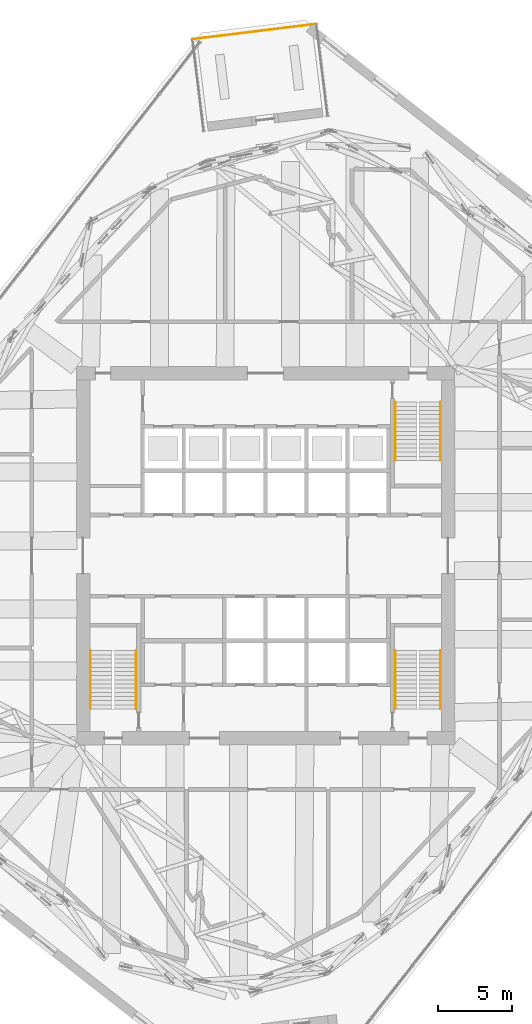
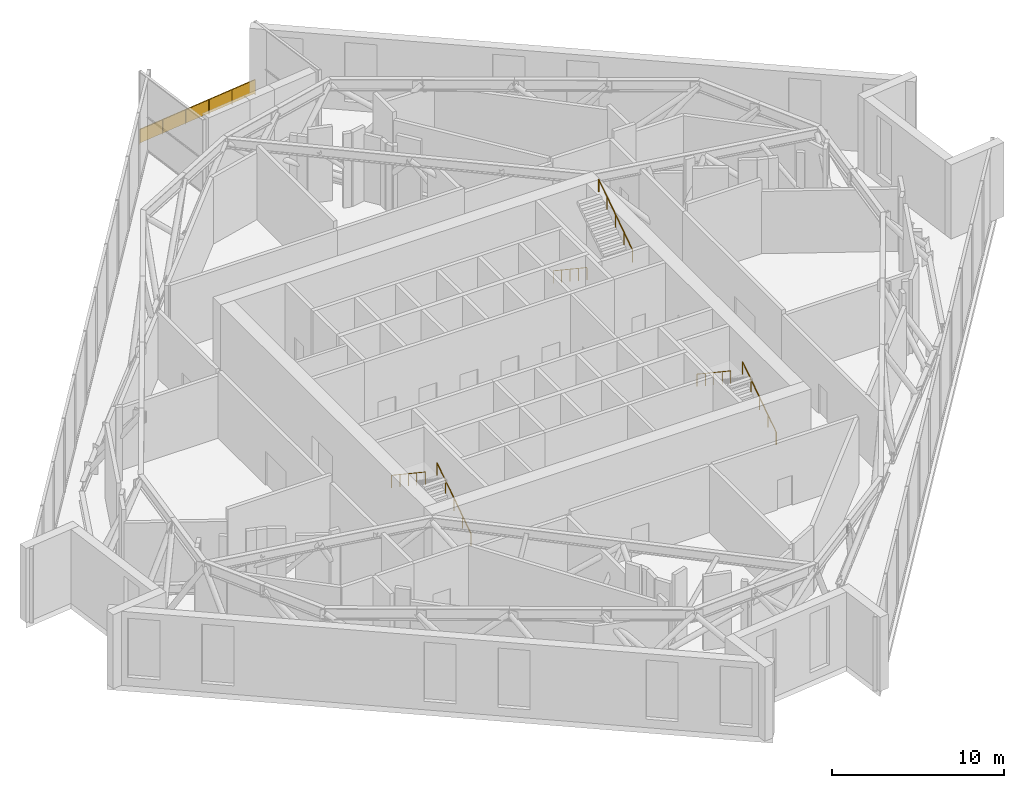
# One storey, part 21 of 23: 7 railings.
"""IFC4 building model written with IfcOpenShell, lengths in metres."""

from ifc_helpers import new_model, si_unit, direction, frame, origin, origin_2d, place, context, subcontext, project, spatial, rectangle, circle, extrude, material, type_object, element, save


model = new_model("IFC4")

# Units and contexts
model_context = context("Model", 3, precision=1e-05, world=origin(), true_north=direction((0.0, 1.0)))
body_context = subcontext(model_context, "Body", "Model", "MODEL_VIEW")
ifc_project = project(units=[si_unit("LENGTHUNIT", "METRE"), si_unit("AREAUNIT", "SQUARE_METRE"), si_unit("VOLUMEUNIT", "CUBIC_METRE"), si_unit("PLANEANGLEUNIT", "RADIAN"), si_unit("MASSUNIT", "GRAM", prefix="KILO")], contexts=[model_context])

# Site, building, storey
site_placement = place(None, origin())
site = spatial("IfcSite", under=ifc_project, at=site_placement, CompositionType="ELEMENT")
building_placement = place(site_placement, origin())
building = spatial("IfcBuilding", under=site, at=building_placement, Name="Dilmun Exchange Tower", CompositionType="ELEMENT")
storey_placement = place(building_placement, frame((0.0, 0.0, 237.300048828125)))
storey = spatial("IfcBuildingStorey", under=building, at=storey_placement, Name="L56", CompositionType="ELEMENT", Elevation=237.300048828125)

# Railings
ifc_material = material(Name="Stainless steel", Category="steel")
railing_type_1 = type_object("IfcRailingType", Name="Stair handrail 900", PredefinedType="HANDRAIL", material=ifc_material)
railing_1_placement = place(storey_placement, frame((8.699951171875, 10.300048828125, 0.1865234375)))
element("IfcRailing", 1, at=railing_1_placement, inside=storey, type_object=railing_type_1, Name="L56 ST1 stair handrail 1", PredefinedType="HANDRAIL", context=body_context, shape_type="SweptSolid", body=[
    extrude(circle(Radius=0.02392578125, at=origin_2d()), frame((0.0, 0.0, 0.8759765625), z_axis=(0.0, -0.832042322245, 0.554712154178), x_axis=(1.0, 0.0, 0.0)), (0.0, 0.0, 1.0), 4.71142578125),
    extrude(circle(Radius=0.02099609375, at=origin_2d()), origin(), (0.0, 0.0, 1.0), 0.851806640625),
    extrude(circle(Radius=0.02099609375, at=origin_2d()), frame((0.0, -0.97998046875, 0.6533203125)), (0.0, 0.0, 1.0), 0.851806640625),
    extrude(circle(Radius=0.02099609375, at=origin_2d()), frame((0.0, -1.9599609375, 1.306640625)), (0.0, 0.0, 1.0), 0.851806640625),
    extrude(circle(Radius=0.02099609375, at=origin_2d()), frame((0.0, -2.940185546875, 1.960205078125)), (0.0, 0.0, 1.0), 0.851806640625),
    extrude(circle(Radius=0.02099609375, at=origin_2d()), frame((0.0, -3.920166015625, 2.613525390625)), (0.0, 0.0, 1.0), 0.851806640625),
])
railing_2_placement = place(storey_placement, frame((11.75, 6.3798828125, 2.986572265625)))
element("IfcRailing", 2, at=railing_2_placement, inside=storey, type_object=railing_type_1, Name="L56 ST1 stair handrail 2", PredefinedType="HANDRAIL", context=body_context, shape_type="SweptSolid", body=[
    extrude(circle(Radius=0.02392578125, at=origin_2d()), frame((0.0, 0.0, 0.8759765625), z_axis=(0.0, 0.832066238466, 0.554676279289), x_axis=(-1.0, 0.0, 0.0)), (0.0, 0.0, 1.0), 4.71142578125),
    extrude(circle(Radius=0.02099609375, at=origin_2d()), origin(), (0.0, 0.0, 1.0), 0.851806640625),
    extrude(circle(Radius=0.02099609375, at=origin_2d()), frame((0.0, 0.97998046875, 0.6533203125)), (0.0, 0.0, 1.0), 0.851806640625),
    extrude(circle(Radius=0.02099609375, at=origin_2d()), frame((0.0, 1.9599609375, 1.306640625)), (0.0, 0.0, 1.0), 0.851806640625),
    extrude(circle(Radius=0.02099609375, at=origin_2d()), frame((0.0, 2.940185546875, 1.9599609375)), (0.0, 0.0, 1.0), 0.851806640625),
    extrude(circle(Radius=0.02099609375, at=origin_2d()), frame((0.0, 3.920166015625, 2.61328125)), (0.0, 0.0, 1.0), 0.851806640625),
])
railing_3_placement = place(storey_placement, frame((-8.699951171875, -10.300048828125, 0.1865234375)))
element("IfcRailing", 3, at=railing_3_placement, inside=storey, type_object=railing_type_1, Name="L56 ST2 stair handrail 1", PredefinedType="HANDRAIL", context=body_context, shape_type="SweptSolid", body=[
    extrude(circle(Radius=0.02392578125, at=origin_2d()), frame((0.0, 0.0, 0.8759765625), z_axis=(0.0, 0.832042322245, 0.554712154178), x_axis=(-1.0, 0.0, 0.0)), (0.0, 0.0, 1.0), 4.71142578125),
    extrude(circle(Radius=0.02099609375, at=origin_2d()), origin(), (0.0, 0.0, 1.0), 0.851806640625),
    extrude(circle(Radius=0.02099609375, at=origin_2d()), frame((0.0, 0.97998046875, 0.6533203125)), (0.0, 0.0, 1.0), 0.851806640625),
    extrude(circle(Radius=0.02099609375, at=origin_2d()), frame((0.0, 1.9599609375, 1.306640625)), (0.0, 0.0, 1.0), 0.851806640625),
    extrude(circle(Radius=0.02099609375, at=origin_2d()), frame((0.0, 2.940185546875, 1.960205078125)), (0.0, 0.0, 1.0), 0.851806640625),
    extrude(circle(Radius=0.02099609375, at=origin_2d()), frame((0.0, 3.920166015625, 2.613525390625)), (0.0, 0.0, 1.0), 0.851806640625),
])
railing_4_placement = place(storey_placement, frame((-11.75, -6.3798828125, 2.986572265625)))
element("IfcRailing", 4, at=railing_4_placement, inside=storey, type_object=railing_type_1, Name="L56 ST2 stair handrail 2", PredefinedType="HANDRAIL", context=body_context, shape_type="SweptSolid", body=[
    extrude(circle(Radius=0.02392578125, at=origin_2d()), frame((0.0, 0.0, 0.8759765625), z_axis=(0.0, -0.832066238466, 0.554676279289), x_axis=(1.0, 0.0, 0.0)), (0.0, 0.0, 1.0), 4.71142578125),
    extrude(circle(Radius=0.02099609375, at=origin_2d()), origin(), (0.0, 0.0, 1.0), 0.851806640625),
    extrude(circle(Radius=0.02099609375, at=origin_2d()), frame((0.0, -0.97998046875, 0.6533203125)), (0.0, 0.0, 1.0), 0.851806640625),
    extrude(circle(Radius=0.02099609375, at=origin_2d()), frame((0.0, -1.9599609375, 1.306640625)), (0.0, 0.0, 1.0), 0.851806640625),
    extrude(circle(Radius=0.02099609375, at=origin_2d()), frame((0.0, -2.940185546875, 1.9599609375)), (0.0, 0.0, 1.0), 0.851806640625),
    extrude(circle(Radius=0.02099609375, at=origin_2d()), frame((0.0, -3.920166015625, 2.61328125)), (0.0, 0.0, 1.0), 0.851806640625),
])
railing_5_placement = place(storey_placement, frame((11.75, -10.300048828125, 0.1865234375)))
element("IfcRailing", 5, at=railing_5_placement, inside=storey, type_object=railing_type_1, Name="L56 ST3 stair handrail 1", PredefinedType="HANDRAIL", context=body_context, shape_type="SweptSolid", body=[
    extrude(circle(Radius=0.02392578125, at=origin_2d()), frame((0.0, 0.0, 0.8759765625), z_axis=(0.0, 0.832042322245, 0.554712154178), x_axis=(-1.0, 0.0, 0.0)), (0.0, 0.0, 1.0), 4.71142578125),
    extrude(circle(Radius=0.02099609375, at=origin_2d()), origin(), (0.0, 0.0, 1.0), 0.851806640625),
    extrude(circle(Radius=0.02099609375, at=origin_2d()), frame((0.0, 0.97998046875, 0.6533203125)), (0.0, 0.0, 1.0), 0.851806640625),
    extrude(circle(Radius=0.02099609375, at=origin_2d()), frame((0.0, 1.9599609375, 1.306640625)), (0.0, 0.0, 1.0), 0.851806640625),
    extrude(circle(Radius=0.02099609375, at=origin_2d()), frame((0.0, 2.940185546875, 1.960205078125)), (0.0, 0.0, 1.0), 0.851806640625),
    extrude(circle(Radius=0.02099609375, at=origin_2d()), frame((0.0, 3.920166015625, 2.613525390625)), (0.0, 0.0, 1.0), 0.851806640625),
])
railing_6_placement = place(storey_placement, frame((8.699951171875, -6.3798828125, 2.986572265625)))
element("IfcRailing", 6, at=railing_6_placement, inside=storey, type_object=railing_type_1, Name="L56 ST3 stair handrail 2", PredefinedType="HANDRAIL", context=body_context, shape_type="SweptSolid", body=[
    extrude(circle(Radius=0.02392578125, at=origin_2d()), frame((0.0, 0.0, 0.8759765625), z_axis=(0.0, -0.832066238466, 0.554676279289), x_axis=(1.0, 0.0, 0.0)), (0.0, 0.0, 1.0), 4.71142578125),
    extrude(circle(Radius=0.02099609375, at=origin_2d()), origin(), (0.0, 0.0, 1.0), 0.851806640625),
    extrude(circle(Radius=0.02099609375, at=origin_2d()), frame((0.0, -0.97998046875, 0.6533203125)), (0.0, 0.0, 1.0), 0.851806640625),
    extrude(circle(Radius=0.02099609375, at=origin_2d()), frame((0.0, -1.9599609375, 1.306640625)), (0.0, 0.0, 1.0), 0.851806640625),
    extrude(circle(Radius=0.02099609375, at=origin_2d()), frame((0.0, -2.940185546875, 1.9599609375)), (0.0, 0.0, 1.0), 0.851806640625),
    extrude(circle(Radius=0.02099609375, at=origin_2d()), frame((0.0, -3.920166015625, 2.61328125)), (0.0, 0.0, 1.0), 0.851806640625),
])
railing_type_2 = type_object("IfcRailingType", Name="Terrace guard 1100 stainless steel", PredefinedType="GUARDRAIL", material=ifc_material)
railing_7_placement = place(storey_placement, frame((-4.914306640625, 34.6611328125, 0.0)))
element("IfcRailing", 7, at=railing_7_placement, inside=storey, type_object=railing_type_2, Name="Terrace guard 1", PredefinedType="GUARDRAIL", context=body_context, shape_type="SweptSolid", body=[
    extrude(circle(Radius=0.02392578125, at=origin_2d()), frame((0.0, 0.0, 1.076171875), z_axis=(0.992543207875, 0.121893316066, 0.0), x_axis=(-0.121893316066, 0.992543207875, 0.0)), (0.0, 0.0, 1.0), 8.378173828125),
    extrude(rectangle(XDim=0.011962890625, YDim=0.951904296875, at=origin_2d()), frame((0.0, 0.0, 0.576171875), z_axis=(0.992543207875, 0.121893316066, 0.0), x_axis=(-0.121893316066, 0.992543207875, 0.0)), (0.0, 0.0, 1.0), 8.378173828125),
    extrude(circle(Radius=0.02099609375, at=origin_2d()), origin(), (0.0, 0.0, 1.0), 1.052001953125),
    extrude(circle(Radius=0.02099609375, at=origin_2d()), frame((1.6630859375, 0.204345703125, 0.0)), (0.0, 0.0, 1.0), 1.052001953125),
    extrude(circle(Radius=0.02099609375, at=origin_2d()), frame((3.326171875, 0.408447265625, 0.0)), (0.0, 0.0, 1.0), 1.052001953125),
    extrude(circle(Radius=0.02099609375, at=origin_2d()), frame((4.989501953125, 0.61279296875, 0.0)), (0.0, 0.0, 1.0), 1.052001953125),
    extrude(circle(Radius=0.02099609375, at=origin_2d()), frame((6.652587890625, 0.81689453125, 0.0)), (0.0, 0.0, 1.0), 1.052001953125),
    extrude(circle(Radius=0.02099609375, at=origin_2d()), frame((8.315673828125, 1.021240234375, 0.0)), (0.0, 0.0, 1.0), 1.052001953125),
])

save(model, "model.ifc")
